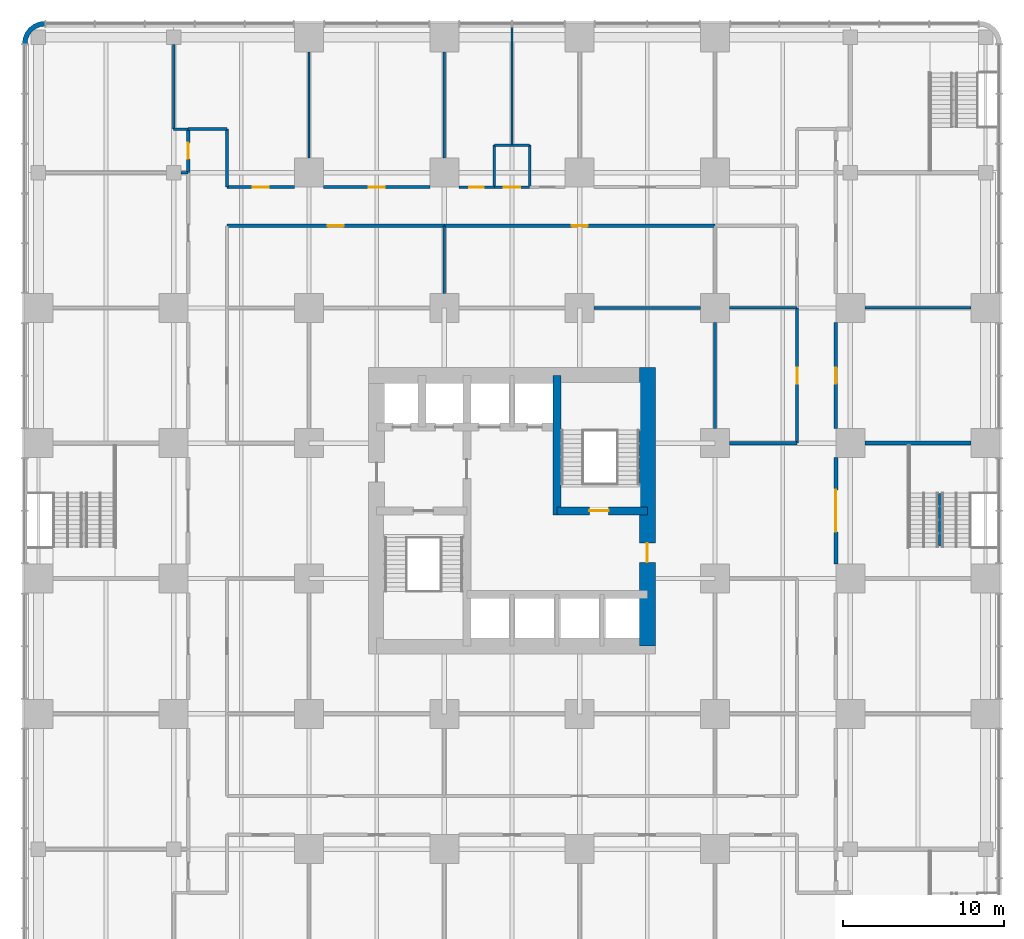
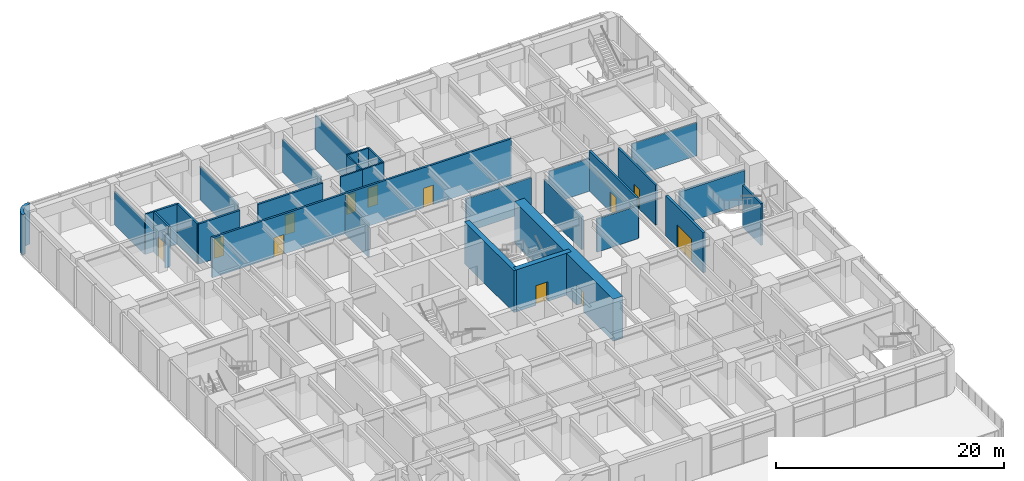
# One storey, part 12 of 19: 34 walls, 12 doors, 12 openings.
"""IFC4 building model written with IfcOpenShell, lengths in metres."""

from ifc_helpers import new_model, si_unit, direction, frame, frame_2d, origin, place, context, subcontext, project, spatial, polyline, rectangle, outline, extrude, material, layer, layer_set, type_object, element, fill, save


model = new_model("IFC4")

# Units and contexts
model_context = context("Model", 3, precision=1e-05, world=origin(), true_north=direction((0.0, 1.0)))
body_context = subcontext(model_context, "Body", "Model", "MODEL_VIEW")
ifc_project = project(units=[si_unit("LENGTHUNIT", "METRE"), si_unit("AREAUNIT", "SQUARE_METRE"), si_unit("VOLUMEUNIT", "CUBIC_METRE"), si_unit("PLANEANGLEUNIT", "RADIAN"), si_unit("MASSUNIT", "GRAM", prefix="KILO")], contexts=[model_context])

# Site, building, storey
site_placement = place(None, origin())
site = spatial("IfcSite", under=ifc_project, at=site_placement, CompositionType="ELEMENT")
building_placement = place(site_placement, origin())
building = spatial("IfcBuilding", under=site, at=building_placement, Name="Torre Alcanfor", CompositionType="ELEMENT")
storey_placement = place(building_placement, frame((0.0, 0.0, 15.0)))
storey = spatial("IfcBuildingStorey", under=building, at=storey_placement, Name="L03", CompositionType="ELEMENT", Elevation=15.0)

# Walls
ifc_material_1 = material(Name="Concrete block masonry, hollow blocks NMX-C-404 9 MPa", Category="masonry")
ifc_layer_1 = layer(ifc_material_1, 0.14990234375)
ifc_layer_set_1 = layer_set([ifc_layer_1], Name="Classroom partition 150")
wall_type_1 = type_object("IfcWallType", Name="Classroom partition 150", PredefinedType="PARTITIONING", material=ifc_layer_set_1)
wall_1_placement = place(storey_placement, frame((51.300048828125, 42.0, 0.0), z_axis=(0.0, 0.0, 1.0), x_axis=(1.0, 0.0, 0.0)))
element("IfcWall", 1, at=wall_1_placement, inside=storey, type_object=wall_type_1, Name="Partition L03-13 / L03-15", PredefinedType="PARTITIONING", context=body_context, shape_type="SweptSolid", body=[
    extrude(rectangle(XDim=6.599853515625, YDim=0.14990234375, at=frame_2d((3.2998046875, 0.0))), origin(), (0.0, 0.0, 1.0), 3.543212890625),
])
wall_2_placement = place(storey_placement, frame((8.85009765625, 50.39990234375, 0.0), z_axis=(0.0, 0.0, 1.0), x_axis=(1.0, 0.0, 0.0)))
element("IfcWall", 2, at=wall_2_placement, inside=storey, type_object=wall_type_1, Name="Partition L03-14 / L03-18", PredefinedType="PARTITIONING", context=body_context, shape_type="SweptSolid", body=[
    extrude(rectangle(XDim=0.449951171875, YDim=0.14990234375, at=frame_2d((0.22509765625, 0.0))), origin(), (0.0, 0.0, 1.0), 3.543212890625),
])
wall_3_placement = place(storey_placement, frame((16.800048828125, 51.300048828125, 0.0), z_axis=(0.0, 0.0, 1.0), x_axis=(0.0, 1.0, 0.0)))
element("IfcWall", 3, at=wall_3_placement, inside=storey, type_object=wall_type_1, Name="Partition L03-16 / L03-20", PredefinedType="PARTITIONING", context=body_context, shape_type="SweptSolid", body=[
    extrude(rectangle(XDim=6.599853515625, YDim=0.14990234375, at=frame_2d((3.2998046875, 0.0))), origin(), (0.0, 0.0, 1.0), 3.543212890625),
])
wall_4_placement = place(storey_placement, frame((8.39990234375, 58.35009765625, 0.0), z_axis=(0.0, 0.0, 1.0), x_axis=(0.0, -1.0, 0.0)))
element("IfcWall", 4, at=wall_4_placement, inside=storey, type_object=wall_type_1, Name="Partition L03-18 / L03-20", PredefinedType="PARTITIONING", context=body_context, shape_type="SweptSolid", body=[
    extrude(rectangle(XDim=5.25, YDim=0.14990234375, at=frame_2d((2.625, 0.0))), origin(), (0.0, 0.0, 1.0), 3.543212890625),
])
wall_5_placement = place(storey_placement, frame((8.39990234375, 53.10009765625, 0.0), z_axis=(0.0, 0.0, 1.0), x_axis=(1.0, 0.0, 0.0)))
element("IfcWall", 5, at=wall_5_placement, inside=storey, type_object=wall_type_1, Name="Partition L03-18 / L03-20", PredefinedType="PARTITIONING", context=body_context, shape_type="SweptSolid", body=[
    extrude(rectangle(XDim=0.900146484375, YDim=0.14990234375, at=frame_2d((0.4501953125, 0.0))), origin(), (0.0, 0.0, 1.0), 4.300048828125),
])
for number, where, z_axis, x_axis, name in (
    (6, (42.89990234375, 42.0, 0.0), (0.0, 0.0, 1.0), (1.0, 0.0, 0.0), "Partition L03-I07 / L03-I10"),
    (7, (25.199951171875, 47.10009765625, 0.0), (0.0, 0.0, 1.0), (0.0, -1.0, 0.0), "Partition L03-I08 / L03-I09"),
):
    element("IfcWall", number, at=place(storey_placement, frame(where, z_axis=z_axis, x_axis=x_axis)), inside=storey, type_object=wall_type_1, Name=name, PredefinedType="PARTITIONING", context=body_context, shape_type="SweptSolid", body=[
        extrude(rectangle(XDim=4.2001953125, YDim=0.14990234375, at=frame_2d((2.10009765625, 0.0))), origin(), (0.0, 0.0, 1.0), 3.543212890625),
    ])
ifc_material_2 = material(Name="Concrete f'c 70 MPa", Category="concrete")
ifc_layer_2 = layer(ifc_material_2, 0.5)
ifc_layer_set_2 = layer_set([ifc_layer_2], Name="Core inner wall 500 f'c70")
wall_type_2 = type_object("IfcWallType", Name="Core inner wall 500 f'c70", PredefinedType="SHEAR", material=ifc_layer_set_2)
wall_6_placement = place(storey_placement, frame((32.199951171875, 29.14990234375, 0.0), z_axis=(0.0, 0.0, 1.0), x_axis=(0.0, 1.0, 0.0)))
element("IfcWall", 8, at=wall_6_placement, inside=storey, type_object=wall_type_2, Name="Core wall X322N L03", PredefinedType="SHEAR", context=body_context, shape_type="SweptSolid", body=[
    extrude(rectangle(XDim=8.650146484375, YDim=0.5, at=frame_2d((4.3251953125, 0.0))), origin(), (0.0, 0.0, 1.0), 4.5),
])

# Wall, opening, door
wall_7_placement = place(storey_placement, frame((32.199951171875, 29.39990234375, 0.0), z_axis=(0.0, 0.0, 1.0), x_axis=(1.0, 0.0, 0.0)))
wall_7 = element("IfcWall", 9, at=wall_7_placement, inside=storey, type_object=wall_type_2, Name="Core wall Y294E L03", PredefinedType="SHEAR", context=body_context, shape_type="SweptSolid", body=[
    extrude(rectangle(XDim=5.60009765625, YDim=0.5, at=frame_2d((2.800048828125, 0.0))), origin(), (0.0, 0.0, 1.0), 4.5),
])
opening_1_placement = place(wall_7_placement, frame((2.0, 0.0, 0.0)))
opening_1 = element("IfcOpeningElement", 10, at=opening_1_placement, cuts=wall_7, Name="Opening D-S2", PredefinedType="OPENING", context=body_context, shape_type="SweptSolid", body=[
    extrude(rectangle(XDim=1.199951171875, YDim=2.10009765625, at=frame_2d((0.60009765625, 1.050048828125))), frame((0.0, 0.260009765625, 0.0), z_axis=(0.0, -1.0, 0.0), x_axis=(1.0, 0.0, 0.0)), (0.0, 0.0, 1.0), 0.52001953125),
])
ifc_material_3 = material(Name="Galvanised steel sheet ASTM A653", Category="steel")
door_type_1 = type_object("IfcDoorType", Name="Stair enclosure door FD120 1200x2100", OperationType="SINGLE_SWING_LEFT", PredefinedType="DOOR", material=ifc_material_3)
door_1_placement = place(opening_1_placement, origin())
door_1 = element("IfcDoor", 11, at=door_1_placement, inside=storey, type_object=door_type_1, Name="Stair S2 door L03", OperationType="SINGLE_SWING_LEFT", OverallHeight=2.10009765625, OverallWidth=1.199951171875, PredefinedType="DOOR", context=body_context, shape_type="SweptSolid", body=[
    extrude(rectangle(XDim=1.199951171875, YDim=2.10009765625, at=frame_2d((0.60009765625, 1.050048828125))), frame((0.0, 0.02490234375, 0.0), z_axis=(0.0, -1.0, 0.0), x_axis=(1.0, 0.0, 0.0)), (0.0, 0.0, 1.0), 0.050048828125),
])
fill(opening_1, door_1)

ifc_material_4 = material(Name="Concrete f'c 70 MPa", Category="concrete")
ifc_layer_3 = layer(ifc_material_4, 1.0)
ifc_layer_set_3 = layer_set([ifc_layer_3], Name="Core wall 1000 f'c70")
wall_type_3 = type_object("IfcWallType", Name="Core wall 1000 f'c70", PredefinedType="SHEAR", material=ifc_layer_set_3)
wall_8_placement = place(storey_placement, frame((37.800048828125, 21.0, 0.0), z_axis=(0.0, 0.0, 1.0), x_axis=(0.0, 1.0, 0.0)))
wall_8 = element("IfcWall", 12, at=wall_8_placement, inside=storey, type_object=wall_type_3, Name="Core wall OUT-E L03", PredefinedType="SHEAR", context=body_context, shape_type="SweptSolid", body=[
    extrude(rectangle(XDim=17.300048828125, YDim=1.0, at=frame_2d((8.64990234375, 0.0))), origin(), (0.0, 0.0, 1.0), 4.5),
])
opening_2_placement = place(wall_8_placement, frame((5.199951171875, 0.0, 0.0)))
opening_2 = element("IfcOpeningElement", 13, at=opening_2_placement, cuts=wall_8, Name="Opening D-L1", PredefinedType="OPENING", context=body_context, shape_type="SweptSolid", body=[
    extrude(rectangle(XDim=1.199951171875, YDim=2.10009765625, at=frame_2d((0.60009765625, 1.050048828125))), frame((0.0, 0.510009765625, 0.0), z_axis=(0.0, -1.0, 0.0), x_axis=(1.0, 0.0, 0.0)), (0.0, 0.0, 1.0), 1.02001953125),
])
ifc_material_5 = material(Name="Galvanised steel sheet ASTM A653", Category="steel")
door_type_2 = type_object("IfcDoorType", Name="Lobby door FD120 1200x2100", OperationType="SINGLE_SWING_LEFT", PredefinedType="DOOR", material=ifc_material_5)
door_2_placement = place(opening_2_placement, frame((1.199951171875, 0.0, 0.0), z_axis=(0.0, 0.0, 1.0), x_axis=(-1.0, 0.0, 0.0)))
door_2 = element("IfcDoor", 14, at=door_2_placement, inside=storey, type_object=door_type_2, Name="Lift lobby entrance door L03", OperationType="SINGLE_SWING_RIGHT", OverallHeight=2.10009765625, OverallWidth=1.199951171875, PredefinedType="DOOR", context=body_context, shape_type="SweptSolid", body=[
    extrude(rectangle(XDim=1.199951171875, YDim=2.10009765625, at=frame_2d((0.599853515625, 1.050048828125))), frame((0.0, 0.025146484375, 0.0), z_axis=(0.0, -1.0, 0.0), x_axis=(1.0, 0.0, 0.0)), (0.0, 0.0, 1.0), 0.050048828125),
])
fill(opening_2, door_2)

# Wall
ifc_material_6 = material(Name="Limestone cladding", Category="masonry")
ifc_layer_4 = layer(ifc_material_6, 0.0400390625, Name="Facing")
ifc_material_7 = material(Name="Ventilated air cavity")
ifc_layer_5 = layer(ifc_material_7, 0.02001953125, ventilated=True, Name="Ventilated joint")
ifc_material_8 = material(Name="Mineral wool insulation", Category="insulation")
ifc_layer_6 = layer(ifc_material_8, 0.10009765625, Name="Insulation")
ifc_material_9 = material(Name="Concrete f'c 35 MPa", Category="concrete")
ifc_layer_7 = layer(ifc_material_9, 0.139892578125, Name="Backing")
ifc_layer_set_4 = layer_set([ifc_layer_4, ifc_layer_5, ifc_layer_6, ifc_layer_7], Name="Rounded corner pier stone-clad 300")
wall_type_4 = type_object("IfcWallType", Name="Rounded corner pier stone-clad 300", PredefinedType="SOLIDWALL", material=ifc_layer_set_4)
wall_9_placement = place(storey_placement, frame((0.444811019, 59.647901787, 0.0), z_axis=(0.0, 0.0, 1.0), x_axis=(-0.707106781187, 0.707106781187, 0.0)))
element("IfcWall", 15, at=wall_9_placement, inside=storey, type_object=wall_type_4, Name="Corner pier L03 6", PredefinedType="SOLIDWALL", context=body_context, shape_type="SweptSolid", body=[
    extrude(outline(polyline([(0.1391667998288333, 1.9041045383070583), (-0.10079375335703122, 1.719731969384394), (-0.08681044054548093, 1.7057486565728435), (0.09963373027519085, 1.4626807005399678), (0.20925599737808592, 1.1980335580695145), (0.24654483154222023, 0.9142240980424918), (0.2092559973780859, 0.6300693710324682), (0.09963373027519096, 0.3654222285620147), (-0.08681044054548079, 0.12235427252913894), (-0.10079375335703117, 0.10837095971758856), (0.139339433320334, -0.07582897571357508), (0.36169137037313503, 0.2141952900074698), (0.5015244984886389, 0.5518663993826864), (0.5491713421428104, 0.9140514645509912), (0.5016971319801394, 1.2764091632107966), (0.36169137037313503, 1.614252906077514), (0.1391667998288333, 1.9041045383070583)])), origin(), (0.0, 0.0, 1.0), 4.300048828125),
])

# Wall, opening, door
ifc_material_10 = material(Name="Concrete block masonry, hollow blocks NMX-C-404 9 MPa", Category="masonry")
ifc_layer_8 = layer(ifc_material_10, 0.199951171875)
ifc_layer_set_5 = layer_set([ifc_layer_8], Name="School corridor wall 200")
wall_type_5 = type_object("IfcWallType", Name="School corridor wall 200", PredefinedType="PARTITIONING", material=ifc_layer_set_5)
wall_10_placement = place(storey_placement, frame((49.5, 34.5, 0.0), z_axis=(0.0, 0.0, 1.0), x_axis=(0.0, 1.0, 0.0)))
wall_10 = element("IfcWall", 16, at=wall_10_placement, inside=storey, type_object=wall_type_5, Name="Partition L03-13 / L03-CORR", PredefinedType="PARTITIONING", context=body_context, shape_type="SweptSolid", body=[
    extrude(rectangle(XDim=6.60009765625, YDim=0.199951171875, at=frame_2d((3.300048828125, 0.0))), origin(), (0.0, 0.0, 1.0), 4.300048828125),
])
opening_3_placement = place(wall_10_placement, frame((2.800048828125, 0.0, 0.0)))
opening_3 = element("IfcOpeningElement", 17, at=opening_3_placement, cuts=wall_10, Name="Opening D-C1", PredefinedType="OPENING", context=body_context, shape_type="SweptSolid", body=[
    extrude(rectangle(XDim=1.0, YDim=2.10009765625, at=frame_2d((0.5, 1.050048828125))), frame((0.0, 0.10986328125, 0.0), z_axis=(0.0, -1.0, 0.0), x_axis=(1.0, 0.0, 0.0)), (0.0, 0.0, 1.0), 0.219970703125),
])
ifc_material_11 = material(Name="Timber", Category="wood")
door_type_3 = type_object("IfcDoorType", Name="Classroom door 1000x2100", OperationType="SINGLE_SWING_RIGHT", PredefinedType="DOOR", material=ifc_material_11)
door_3_placement = place(opening_3_placement, frame((1.0, 0.0, 0.0), z_axis=(0.0, 0.0, 1.0), x_axis=(-1.0, 0.0, 0.0)))
door_3 = element("IfcDoor", 18, at=door_3_placement, inside=storey, type_object=door_type_3, Name="Door L03-13 classroom", OperationType="SINGLE_SWING_RIGHT", OverallHeight=2.10009765625, OverallWidth=1.0, PredefinedType="DOOR", context=body_context, shape_type="SweptSolid", body=[
    extrude(rectangle(XDim=1.0, YDim=2.10009765625, at=frame_2d((0.5, 1.050048828125))), frame((0.0, 0.025146484375, 0.0), z_axis=(0.0, -1.0, 0.0), x_axis=(1.0, 0.0, 0.0)), (0.0, 0.0, 1.0), 0.050048828125),
])
fill(opening_3, door_3)

wall_11_placement = place(storey_placement, frame((24.300048828125, 49.5, 0.0), z_axis=(0.0, 0.0, 1.0), x_axis=(-1.0, 0.0, 0.0)))
wall_11 = element("IfcWall", 19, at=wall_11_placement, inside=storey, type_object=wall_type_5, Name="Partition L03-16 / L03-CORR", PredefinedType="PARTITIONING", context=body_context, shape_type="SweptSolid", body=[
    extrude(rectangle(XDim=6.60009765625, YDim=0.199951171875, at=frame_2d((3.300048828125, 0.0))), origin(), (0.0, 0.0, 1.0), 4.300048828125),
])
opening_4_placement = place(wall_11_placement, frame((2.800048828125, 0.0, 0.0)))
opening_4 = element("IfcOpeningElement", 20, at=opening_4_placement, cuts=wall_11, Name="Opening D-C1", PredefinedType="OPENING", context=body_context, shape_type="SweptSolid", body=[
    extrude(rectangle(XDim=1.0, YDim=2.10009765625, at=frame_2d((0.5, 1.050048828125))), frame((0.0, 0.10986328125, 0.0), z_axis=(0.0, -1.0, 0.0), x_axis=(1.0, 0.0, 0.0)), (0.0, 0.0, 1.0), 0.219970703125),
])
door_4_placement = place(opening_4_placement, frame((1.0, 0.0, 0.0), z_axis=(0.0, 0.0, 1.0), x_axis=(-1.0, 0.0, 0.0)))
door_4 = element("IfcDoor", 21, at=door_4_placement, inside=storey, type_object=door_type_3, Name="Door L03-16 classroom", OperationType="SINGLE_SWING_RIGHT", OverallHeight=2.10009765625, OverallWidth=1.0, PredefinedType="DOOR", context=body_context, shape_type="SweptSolid", body=[
    extrude(rectangle(XDim=1.0, YDim=2.10009765625, at=frame_2d((0.5, 1.050048828125))), frame((0.0, 0.025146484375, 0.0), z_axis=(0.0, -1.0, 0.0), x_axis=(1.0, 0.0, 0.0)), (0.0, 0.0, 1.0), 0.050048828125),
])
fill(opening_4, door_4)

wall_12_placement = place(storey_placement, frame((9.300048828125, 53.10009765625, 0.0), z_axis=(0.0, 0.0, 1.0), x_axis=(0.0, -1.0, 0.0)))
wall_12 = element("IfcWall", 22, at=wall_12_placement, inside=storey, type_object=wall_type_5, Name="Partition L03-18 / L03-CORR", PredefinedType="PARTITIONING", context=body_context, shape_type="SweptSolid", body=[
    extrude(rectangle(XDim=2.7001953125, YDim=0.199951171875, at=frame_2d((1.35009765625, 0.0))), origin(), (0.0, 0.0, 1.0), 4.300048828125),
])
opening_5_placement = place(wall_12_placement, frame((0.85009765625, 0.0, 0.0)))
opening_5 = element("IfcOpeningElement", 23, at=opening_5_placement, cuts=wall_12, Name="Opening D-C1", PredefinedType="OPENING", context=body_context, shape_type="SweptSolid", body=[
    extrude(rectangle(XDim=1.0, YDim=2.10009765625, at=frame_2d((0.5, 1.050048828125))), frame((0.0, 0.10986328125, 0.0), z_axis=(0.0, -1.0, 0.0), x_axis=(1.0, 0.0, 0.0)), (0.0, 0.0, 1.0), 0.219970703125),
])
door_5_placement = place(opening_5_placement, frame((1.0, 0.0, 0.0), z_axis=(0.0, 0.0, 1.0), x_axis=(-1.0, 0.0, 0.0)))
door_5 = element("IfcDoor", 24, at=door_5_placement, inside=storey, type_object=door_type_3, Name="Door L03-18 classroom", OperationType="SINGLE_SWING_RIGHT", OverallHeight=2.10009765625, OverallWidth=1.0, PredefinedType="DOOR", context=body_context, shape_type="SweptSolid", body=[
    extrude(rectangle(XDim=1.0, YDim=2.10009765625, at=frame_2d((0.5, 1.050048828125))), frame((0.0, 0.025146484375, 0.0), z_axis=(0.0, -1.0, 0.0), x_axis=(1.0, 0.0, 0.0)), (0.0, 0.0, 1.0), 0.050048828125),
])
fill(opening_5, door_5)

wall_13_placement = place(storey_placement, frame((15.89990234375, 49.5, 0.0), z_axis=(0.0, 0.0, 1.0), x_axis=(-1.0, 0.0, 0.0)))
wall_13 = element("IfcWall", 25, at=wall_13_placement, inside=storey, type_object=wall_type_5, Name="Partition L03-20 / L03-CORR", PredefinedType="PARTITIONING", context=body_context, shape_type="SweptSolid", body=[
    extrude(rectangle(XDim=4.199951171875, YDim=0.199951171875, at=frame_2d((2.10009765625, 0.0))), origin(), (0.0, 0.0, 1.0), 4.300048828125),
])
opening_6_placement = place(wall_13_placement, frame((1.60009765625, 0.0, 0.0)))
opening_6 = element("IfcOpeningElement", 26, at=opening_6_placement, cuts=wall_13, Name="Opening D-C1", PredefinedType="OPENING", context=body_context, shape_type="SweptSolid", body=[
    extrude(rectangle(XDim=1.0, YDim=2.10009765625, at=frame_2d((0.5, 1.050048828125))), frame((0.0, 0.10986328125, 0.0), z_axis=(0.0, -1.0, 0.0), x_axis=(1.0, 0.0, 0.0)), (0.0, 0.0, 1.0), 0.219970703125),
])
door_6_placement = place(opening_6_placement, frame((1.0, 0.0, 0.0), z_axis=(0.0, 0.0, 1.0), x_axis=(-1.0, 0.0, 0.0)))
door_6 = element("IfcDoor", 27, at=door_6_placement, inside=storey, type_object=door_type_3, Name="Door L03-20 classroom", OperationType="SINGLE_SWING_RIGHT", OverallHeight=2.10009765625, OverallWidth=1.0, PredefinedType="DOOR", context=body_context, shape_type="SweptSolid", body=[
    extrude(rectangle(XDim=1.0, YDim=2.10009765625, at=frame_2d((0.5, 1.050048828125))), frame((0.0, 0.025146484375, 0.0), z_axis=(0.0, -1.0, 0.0), x_axis=(1.0, 0.0, 0.0)), (0.0, 0.0, 1.0), 0.050048828125),
])
fill(opening_6, door_6)

# Walls
wall_14_placement = place(storey_placement, frame((11.699951171875, 49.5, 0.0), z_axis=(0.0, 0.0, 1.0), x_axis=(0.0, 1.0, 0.0)))
element("IfcWall", 28, at=wall_14_placement, inside=storey, type_object=wall_type_5, Name="Partition L03-20 / L03-CORR", PredefinedType="PARTITIONING", context=body_context, shape_type="SweptSolid", body=[
    extrude(rectangle(XDim=3.60009765625, YDim=0.199951171875, at=frame_2d((1.800048828125, 0.0))), origin(), (0.0, 0.0, 1.0), 4.300048828125),
])
wall_15_placement = place(storey_placement, frame((11.699951171875, 53.10009765625, 0.0), z_axis=(0.0, 0.0, 1.0), x_axis=(-1.0, 0.0, 0.0)))
element("IfcWall", 29, at=wall_15_placement, inside=storey, type_object=wall_type_5, Name="Partition L03-20 / L03-CORR", PredefinedType="PARTITIONING", context=body_context, shape_type="SweptSolid", body=[
    extrude(rectangle(XDim=2.39990234375, YDim=0.199951171875, at=frame_2d((1.199951171875, 0.0))), origin(), (0.0, 0.0, 1.0), 4.300048828125),
])

# Wall, opening, door
wall_16_placement = place(storey_placement, frame((47.10009765625, 33.60009765625, 0.0), z_axis=(0.0, 0.0, 1.0), x_axis=(0.0, 1.0, 0.0)))
wall_16 = element("IfcWall", 30, at=wall_16_placement, inside=storey, type_object=wall_type_5, Name="Partition L03-CORR / L03-I07", PredefinedType="PARTITIONING", context=body_context, shape_type="SweptSolid", body=[
    extrude(rectangle(XDim=8.39990234375, YDim=0.199951171875, at=frame_2d((4.199951171875, 0.0))), origin(), (0.0, 0.0, 1.0), 4.300048828125),
])
opening_7_placement = place(wall_16_placement, frame((3.699951171875, 0.0, 0.0)))
opening_7 = element("IfcOpeningElement", 31, at=opening_7_placement, cuts=wall_16, Name="Opening D-C1", PredefinedType="OPENING", context=body_context, shape_type="SweptSolid", body=[
    extrude(rectangle(XDim=1.0, YDim=2.10009765625, at=frame_2d((0.5, 1.050048828125))), frame((0.0, 0.10986328125, 0.0), z_axis=(0.0, -1.0, 0.0), x_axis=(1.0, 0.0, 0.0)), (0.0, 0.0, 1.0), 0.219970703125),
])
door_7_placement = place(opening_7_placement, origin())
door_7 = element("IfcDoor", 32, at=door_7_placement, inside=storey, type_object=door_type_3, Name="Door L03-I07 practice room", OperationType="SINGLE_SWING_LEFT", OverallHeight=2.10009765625, OverallWidth=1.0, PredefinedType="DOOR", context=body_context, shape_type="SweptSolid", body=[
    extrude(rectangle(XDim=1.0, YDim=2.10009765625, at=frame_2d((0.5, 1.050048828125))), frame((0.0, 0.02490234375, 0.0), z_axis=(0.0, -1.0, 0.0), x_axis=(1.0, 0.0, 0.0)), (0.0, 0.0, 1.0), 0.050048828125),
])
fill(opening_7, door_7)

wall_17_placement = place(storey_placement, frame((25.199951171875, 47.10009765625, 0.0), z_axis=(0.0, 0.0, 1.0), x_axis=(-1.0, 0.0, 0.0)))
wall_17 = element("IfcWall", 33, at=wall_17_placement, inside=storey, type_object=wall_type_5, Name="Partition L03-CORR / L03-I08", PredefinedType="PARTITIONING", context=body_context, shape_type="SweptSolid", body=[
    extrude(rectangle(XDim=13.5, YDim=0.199951171875, at=frame_2d((6.75, 0.0))), origin(), (0.0, 0.0, 1.0), 4.300048828125),
])
opening_8_placement = place(wall_17_placement, frame((6.25, 0.0, 0.0)))
opening_8 = element("IfcOpeningElement", 34, at=opening_8_placement, cuts=wall_17, Name="Opening D-C1", PredefinedType="OPENING", context=body_context, shape_type="SweptSolid", body=[
    extrude(rectangle(XDim=1.0, YDim=2.10009765625, at=frame_2d((0.5, 1.050048828125))), frame((0.0, 0.10986328125, 0.0), z_axis=(0.0, -1.0, 0.0), x_axis=(1.0, 0.0, 0.0)), (0.0, 0.0, 1.0), 0.219970703125),
])
door_8_placement = place(opening_8_placement, origin())
door_8 = element("IfcDoor", 35, at=door_8_placement, inside=storey, type_object=door_type_3, Name="Door L03-I08 art room", OperationType="SINGLE_SWING_LEFT", OverallHeight=2.10009765625, OverallWidth=1.0, PredefinedType="DOOR", context=body_context, shape_type="SweptSolid", body=[
    extrude(rectangle(XDim=1.0, YDim=2.10009765625, at=frame_2d((0.5, 1.050048828125))), frame((0.0, 0.02490234375, 0.0), z_axis=(0.0, -1.0, 0.0), x_axis=(1.0, 0.0, 0.0)), (0.0, 0.0, 1.0), 0.050048828125),
])
fill(opening_8, door_8)

wall_18_placement = place(storey_placement, frame((42.0, 47.10009765625, 0.0), z_axis=(0.0, 0.0, 1.0), x_axis=(-1.0, 0.0, 0.0)))
wall_18 = element("IfcWall", 36, at=wall_18_placement, inside=storey, type_object=wall_type_5, Name="Partition L03-CORR / L03-I09", PredefinedType="PARTITIONING", context=body_context, shape_type="SweptSolid", body=[
    extrude(rectangle(XDim=16.800048828125, YDim=0.199951171875, at=frame_2d((8.39990234375, 0.0))), origin(), (0.0, 0.0, 1.0), 4.300048828125),
])
opening_9_placement = place(wall_18_placement, frame((7.89990234375, 0.0, 0.0)))
opening_9 = element("IfcOpeningElement", 37, at=opening_9_placement, cuts=wall_18, Name="Opening D-C1", PredefinedType="OPENING", context=body_context, shape_type="SweptSolid", body=[
    extrude(rectangle(XDim=1.0, YDim=2.10009765625, at=frame_2d((0.5, 1.050048828125))), frame((0.0, 0.10986328125, 0.0), z_axis=(0.0, -1.0, 0.0), x_axis=(1.0, 0.0, 0.0)), (0.0, 0.0, 1.0), 0.219970703125),
])
door_9_placement = place(opening_9_placement, origin())
door_9 = element("IfcDoor", 38, at=door_9_placement, inside=storey, type_object=door_type_3, Name="Door L03-I09 drama studio", OperationType="SINGLE_SWING_LEFT", OverallHeight=2.10009765625, OverallWidth=1.0, PredefinedType="DOOR", context=body_context, shape_type="SweptSolid", body=[
    extrude(rectangle(XDim=1.0, YDim=2.10009765625, at=frame_2d((0.5, 1.050048828125))), frame((0.0, 0.02490234375, 0.0), z_axis=(0.0, -1.0, 0.0), x_axis=(1.0, 0.0, 0.0)), (0.0, 0.0, 1.0), 0.050048828125),
])
fill(opening_9, door_9)

# Walls
wall_19_placement = place(storey_placement, frame((42.0, 41.10009765625, 0.0), z_axis=(0.0, 0.0, 1.0), x_axis=(0.0, -1.0, 0.0)))
element("IfcWall", 39, at=wall_19_placement, inside=storey, type_object=wall_type_5, Name="Partition L03-LLE / L03-I07", PredefinedType="PARTITIONING", context=body_context, shape_type="SweptSolid", body=[
    extrude(rectangle(XDim=6.60009765625, YDim=0.199951171875, at=frame_2d((3.300048828125, 0.0))), origin(), (0.0, 0.0, 1.0), 3.543212890625),
])
wall_20_placement = place(storey_placement, frame((42.89990234375, 33.60009765625, 0.0), z_axis=(0.0, 0.0, 1.0), x_axis=(1.0, 0.0, 0.0)))
element("IfcWall", 40, at=wall_20_placement, inside=storey, type_object=wall_type_5, Name="Partition L03-LLE / L03-I07", PredefinedType="PARTITIONING", context=body_context, shape_type="SweptSolid", body=[
    extrude(rectangle(XDim=4.2001953125, YDim=0.199951171875, at=frame_2d((2.10009765625, 0.0))), origin(), (0.0, 0.0, 1.0), 3.543212890625),
])
wall_21_placement = place(storey_placement, frame((34.5, 42.0, 0.0), z_axis=(0.0, 0.0, 1.0), x_axis=(1.0, 0.0, 0.0)))
element("IfcWall", 41, at=wall_21_placement, inside=storey, type_object=wall_type_5, Name="Partition L03-LLE / L03-I09", PredefinedType="PARTITIONING", context=body_context, shape_type="SweptSolid", body=[
    extrude(rectangle(XDim=6.60009765625, YDim=0.199951171875, at=frame_2d((3.300048828125, 0.0))), origin(), (0.0, 0.0, 1.0), 3.543212890625),
])
ifc_material_12 = material(Name="Reinforced concrete block masonry, hollow blocks NMX-C-404 9 MPa", Category="masonry")
ifc_layer_9 = layer(ifc_material_12, 0.25)
ifc_layer_set_6 = layer_set([ifc_layer_9], Name="Stair enclosure wall 250 EI 120")
wall_type_6 = type_object("IfcWallType", Name="Stair enclosure wall 250 EI 120", PredefinedType="SOLIDWALL", material=ifc_layer_set_6)
wall_22_placement = place(storey_placement, frame((51.300048828125, 33.60009765625, 0.0), z_axis=(0.0, 0.0, 1.0), x_axis=(1.0, 0.0, 0.0)))
element("IfcWall", 42, at=wall_22_placement, inside=storey, type_object=wall_type_6, Name="Partition L03-SS2 / L03-13", PredefinedType="SOLIDWALL", context=body_context, shape_type="SweptSolid", body=[
    extrude(rectangle(XDim=6.599853515625, YDim=0.25, at=frame_2d((3.2998046875, 0.0))), origin(), (0.0, 0.0, 1.0), 3.543212890625),
])

# Wall, opening, door
wall_23_placement = place(storey_placement, frame((49.5, 26.10009765625, 0.0), z_axis=(0.0, 0.0, 1.0), x_axis=(0.0, 1.0, 0.0)))
wall_23 = element("IfcWall", 43, at=wall_23_placement, inside=storey, type_object=wall_type_6, Name="Partition L03-SS2 / L03-CORR", PredefinedType="SOLIDWALL", context=body_context, shape_type="SweptSolid", body=[
    extrude(rectangle(XDim=6.599853515625, YDim=0.25, at=frame_2d((3.2998046875, 0.0))), origin(), (0.0, 0.0, 1.0), 4.300048828125),
])
opening_10_placement = place(wall_23_placement, frame((2.0, 0.0, 0.0)))
opening_10 = element("IfcOpeningElement", 44, at=opening_10_placement, cuts=wall_23, Name="Opening D-S4", PredefinedType="OPENING", context=body_context, shape_type="SweptSolid", body=[
    extrude(rectangle(XDim=2.60009765625, YDim=2.39990234375, at=frame_2d((1.300048828125, 1.199951171875))), frame((0.0, 0.135009765625, 0.0), z_axis=(0.0, -1.0, 0.0), x_axis=(1.0, 0.0, 0.0)), (0.0, 0.0, 1.0), 0.27001953125),
])
ifc_material_13 = material(Name="Galvanised steel sheet ASTM A653", Category="steel")
door_type_4 = type_object("IfcDoorType", Name="School stair double door FD120 2600x2400", OperationType="DOUBLE_DOOR_SINGLE_SWING", PredefinedType="DOOR", material=ifc_material_13)
door_10_placement = place(opening_10_placement, frame((2.60009765625, 0.0, 0.0), z_axis=(0.0, 0.0, 1.0), x_axis=(-1.0, 0.0, 0.0)))
door_10 = element("IfcDoor", 45, at=door_10_placement, inside=storey, type_object=door_type_4, Name="Door L03-SS2 school stair ss2", OperationType="DOUBLE_DOOR_SINGLE_SWING", OverallHeight=2.39990234375, OverallWidth=2.60009765625, PredefinedType="DOOR", context=body_context, shape_type="SweptSolid", body=[
    extrude(rectangle(XDim=2.60009765625, YDim=2.39990234375, at=frame_2d((1.300048828125, 1.199951171875))), frame((0.0, 0.025146484375, 0.0), z_axis=(0.0, -1.0, 0.0), x_axis=(1.0, 0.0, 0.0)), (0.0, 0.0, 1.0), 0.050048828125),
])
fill(opening_10, door_10)

# Walls
ifc_material_14 = material(Name="Concrete f'c 35 MPa", Category="concrete")
ifc_layer_10 = layer(ifc_material_14, 0.199951171875)
ifc_layer_set_7 = layer_set([ifc_layer_10], Name="Stair spine wall 200")
wall_type_7 = type_object("IfcWallType", Name="Stair spine wall 200", PredefinedType="SOLIDWALL", material=ifc_layer_set_7)
wall_24_placement = place(storey_placement, frame((55.969970703125, 27.205078125, 0.0), z_axis=(0.0, 0.0, 1.0), x_axis=(0.0, 1.0, 0.0)))
element("IfcWall", 46, at=wall_24_placement, inside=storey, type_object=wall_type_7, Name="Stair spine wall SS2 L03", PredefinedType="SOLIDWALL", context=body_context, shape_type="SweptSolid", body=[
    extrude(rectangle(XDim=3.260009765625, YDim=0.199951171875, at=frame_2d((1.6298828125, 0.0))), origin(), (0.0, 0.0, 1.0), 4.5),
])
ifc_material_15 = material(Name="Cement board on steel studs", Category="steel")
ifc_layer_11 = layer(ifc_material_15, 0.14990234375)
ifc_layer_set_8 = layer_set([ifc_layer_11], Name="Wet area partition 150")
wall_type_8 = type_object("IfcWallType", Name="Wet area partition 150", PredefinedType="PARTITIONING", material=ifc_layer_set_8)
wall_25_placement = place(storey_placement, frame((29.39990234375, 52.10009765625, 0.0), z_axis=(0.0, 0.0, 1.0), x_axis=(-1.0, 0.0, 0.0)))
element("IfcWall", 47, at=wall_25_placement, inside=storey, type_object=wall_type_8, Name="Partition L03-WCN1 / L03-WCN2", PredefinedType="PARTITIONING", context=body_context, shape_type="SweptSolid", body=[
    extrude(rectangle(XDim=1.099853515625, YDim=0.14990234375, at=frame_2d((0.5498046875, 0.0))), origin(), (0.0, 0.0, 1.0), 4.300048828125),
])
wall_26_placement = place(storey_placement, frame((28.300048828125, 52.10009765625, 0.0), z_axis=(0.0, 0.0, 1.0), x_axis=(0.0, -1.0, 0.0)))
element("IfcWall", 48, at=wall_26_placement, inside=storey, type_object=wall_type_8, Name="Partition L03-WCN1 / L03-WCN2", PredefinedType="PARTITIONING", context=body_context, shape_type="SweptSolid", body=[
    extrude(rectangle(XDim=2.60009765625, YDim=0.14990234375, at=frame_2d((1.300048828125, 0.0))), origin(), (0.0, 0.0, 1.0), 4.300048828125),
])
wall_27_placement = place(storey_placement, frame((29.39990234375, 59.5, 0.0), z_axis=(0.0, 0.0, 1.0), x_axis=(0.0, -1.0, 0.0)))
element("IfcWall", 49, at=wall_27_placement, inside=storey, type_object=wall_type_8, Name="Partition L03-WCN1 / L03-WCN3", PredefinedType="PARTITIONING", context=body_context, shape_type="SweptSolid", body=[
    extrude(rectangle(XDim=7.39990234375, YDim=0.14990234375, at=frame_2d((3.699951171875, 0.0))), origin(), (0.0, 0.0, 1.0), 3.68798828125),
])
wall_28_placement = place(storey_placement, frame((25.199951171875, 51.300048828125, 0.0), z_axis=(0.0, 0.0, 1.0), x_axis=(0.0, 1.0, 0.0)))
element("IfcWall", 50, at=wall_28_placement, inside=storey, type_object=wall_type_8, Name="Partition L03-WCN1 / L03-16", PredefinedType="PARTITIONING", context=body_context, shape_type="SweptSolid", body=[
    extrude(rectangle(XDim=6.599853515625, YDim=0.14990234375, at=frame_2d((3.2998046875, 0.0))), origin(), (0.0, 0.0, 1.0), 3.543212890625),
])

# Wall, opening, door
wall_29_placement = place(storey_placement, frame((28.300048828125, 49.5, 0.0), z_axis=(0.0, 0.0, 1.0), x_axis=(-1.0, 0.0, 0.0)))
wall_29 = element("IfcWall", 51, at=wall_29_placement, inside=storey, type_object=wall_type_8, Name="Partition L03-WCN1 / L03-CORR", PredefinedType="PARTITIONING", context=body_context, shape_type="SweptSolid", body=[
    extrude(rectangle(XDim=2.199951171875, YDim=0.14990234375, at=frame_2d((1.10009765625, 0.0))), origin(), (0.0, 0.0, 1.0), 4.300048828125),
])
opening_11_placement = place(wall_29_placement, frame((0.64990234375, 0.0, 0.0)))
opening_11 = element("IfcOpeningElement", 52, at=opening_11_placement, cuts=wall_29, Name="Opening D-W1", PredefinedType="OPENING", context=body_context, shape_type="SweptSolid", body=[
    extrude(rectangle(XDim=0.89990234375, YDim=2.10009765625, at=frame_2d((0.449951171875, 1.050048828125))), frame((0.0, 0.0849609375, 0.0), z_axis=(0.0, -1.0, 0.0), x_axis=(1.0, 0.0, 0.0)), (0.0, 0.0, 1.0), 0.169921875),
])
ifc_material_16 = material(Name="Timber", Category="wood")
door_type_5 = type_object("IfcDoorType", Name="Toilet door 900x2100", OperationType="SINGLE_SWING_LEFT", PredefinedType="DOOR", material=ifc_material_16)
door_11_placement = place(opening_11_placement, frame((0.89990234375, 0.0, 0.0), z_axis=(0.0, 0.0, 1.0), x_axis=(-1.0, 0.0, 0.0)))
door_11 = element("IfcDoor", 53, at=door_11_placement, inside=storey, type_object=door_type_5, Name="Door L03-WCN1 boys toilets", OperationType="SINGLE_SWING_RIGHT", OverallHeight=2.10009765625, OverallWidth=0.89990234375, PredefinedType="DOOR", context=body_context, shape_type="SweptSolid", body=[
    extrude(rectangle(XDim=0.89990234375, YDim=2.10009765625, at=frame_2d((0.449951171875, 1.050048828125))), frame((0.0, 0.025146484375, 0.0), z_axis=(0.0, -1.0, 0.0), x_axis=(1.0, 0.0, 0.0)), (0.0, 0.0, 1.0), 0.050048828125),
])
fill(opening_11, door_11)

# Walls
wall_30_placement = place(storey_placement, frame((29.39990234375, 52.10009765625, 0.0), z_axis=(0.0, 0.0, 1.0), x_axis=(1.0, 0.0, 0.0)))
element("IfcWall", 54, at=wall_30_placement, inside=storey, type_object=wall_type_8, Name="Partition L03-WCN2 / L03-WCN3", PredefinedType="PARTITIONING", context=body_context, shape_type="SweptSolid", body=[
    extrude(rectangle(XDim=1.10009765625, YDim=0.14990234375, at=frame_2d((0.550048828125, 0.0))), origin(), (0.0, 0.0, 1.0), 4.300048828125),
])
wall_31_placement = place(storey_placement, frame((30.5, 52.10009765625, 0.0), z_axis=(0.0, 0.0, 1.0), x_axis=(0.0, -1.0, 0.0)))
element("IfcWall", 55, at=wall_31_placement, inside=storey, type_object=wall_type_8, Name="Partition L03-WCN2 / L03-WCN3", PredefinedType="PARTITIONING", context=body_context, shape_type="SweptSolid", body=[
    extrude(rectangle(XDim=2.60009765625, YDim=0.14990234375, at=frame_2d((1.300048828125, 0.0))), origin(), (0.0, 0.0, 1.0), 4.300048828125),
])

# Wall, opening, door
wall_32_placement = place(storey_placement, frame((30.5, 49.5, 0.0), z_axis=(0.0, 0.0, 1.0), x_axis=(-1.0, 0.0, 0.0)))
wall_32 = element("IfcWall", 56, at=wall_32_placement, inside=storey, type_object=wall_type_8, Name="Partition L03-WCN2 / L03-CORR", PredefinedType="PARTITIONING", context=body_context, shape_type="SweptSolid", body=[
    extrude(rectangle(XDim=2.199951171875, YDim=0.14990234375, at=frame_2d((1.10009765625, 0.0))), origin(), (0.0, 0.0, 1.0), 4.300048828125),
])
opening_12_placement = place(wall_32_placement, frame((0.60009765625, 0.0, 0.0)))
opening_12 = element("IfcOpeningElement", 57, at=opening_12_placement, cuts=wall_32, Name="Opening D-W2", PredefinedType="OPENING", context=body_context, shape_type="SweptSolid", body=[
    extrude(rectangle(XDim=1.0, YDim=2.10009765625, at=frame_2d((0.5, 1.050048828125))), frame((0.0, 0.0849609375, 0.0), z_axis=(0.0, -1.0, 0.0), x_axis=(1.0, 0.0, 0.0)), (0.0, 0.0, 1.0), 0.169921875),
])
ifc_material_17 = material(Name="Timber", Category="wood")
door_type_6 = type_object("IfcDoorType", Name="Accessible WC door 1000x2100", OperationType="SINGLE_SWING_LEFT", PredefinedType="DOOR", material=ifc_material_17)
door_12_placement = place(opening_12_placement, origin())
door_12 = element("IfcDoor", 58, at=door_12_placement, inside=storey, type_object=door_type_6, Name="Door L03-WCN2 accessible wc", OperationType="SINGLE_SWING_LEFT", OverallHeight=2.10009765625, OverallWidth=1.0, PredefinedType="DOOR", context=body_context, shape_type="SweptSolid", body=[
    extrude(rectangle(XDim=1.0, YDim=2.10009765625, at=frame_2d((0.5, 1.050048828125))), frame((0.0, 0.02490234375, 0.0), z_axis=(0.0, -1.0, 0.0), x_axis=(1.0, 0.0, 0.0)), (0.0, 0.0, 1.0), 0.050048828125),
])
fill(opening_12, door_12)

save(model, "model.ifc")
